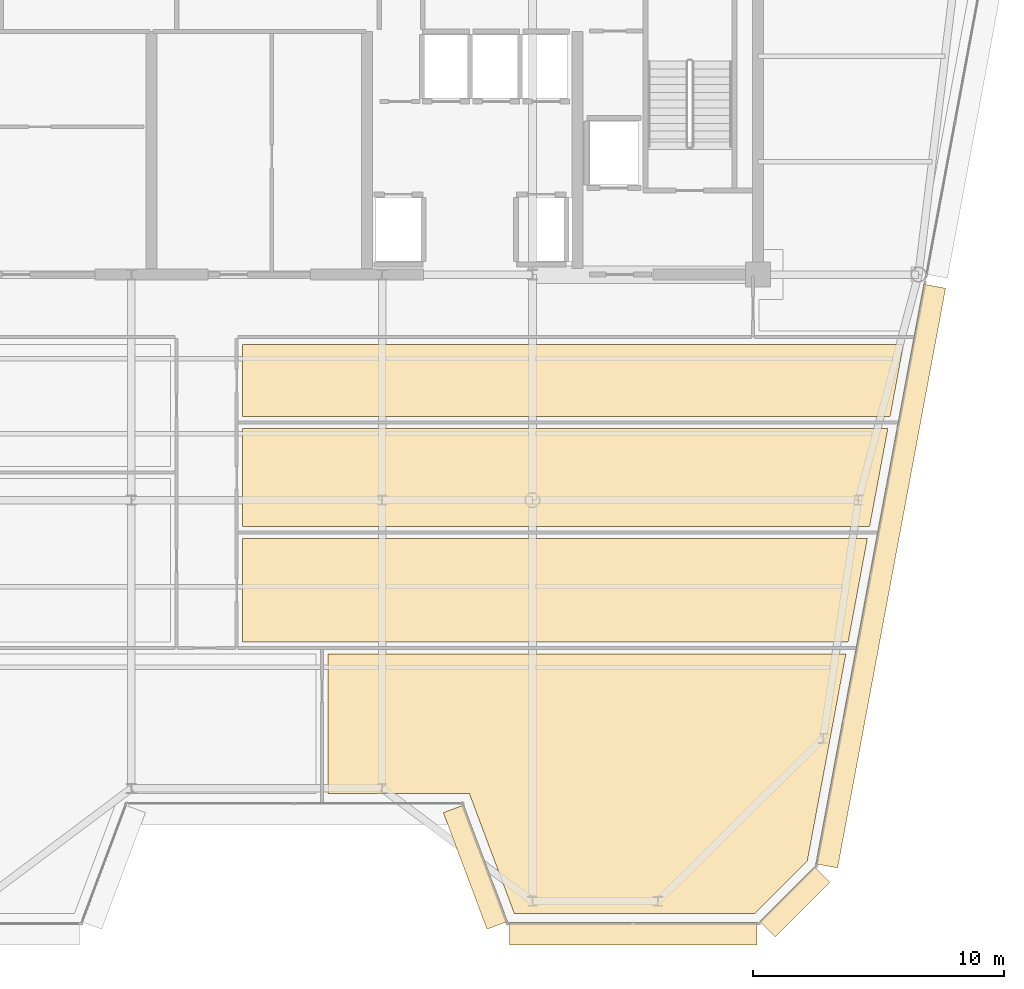
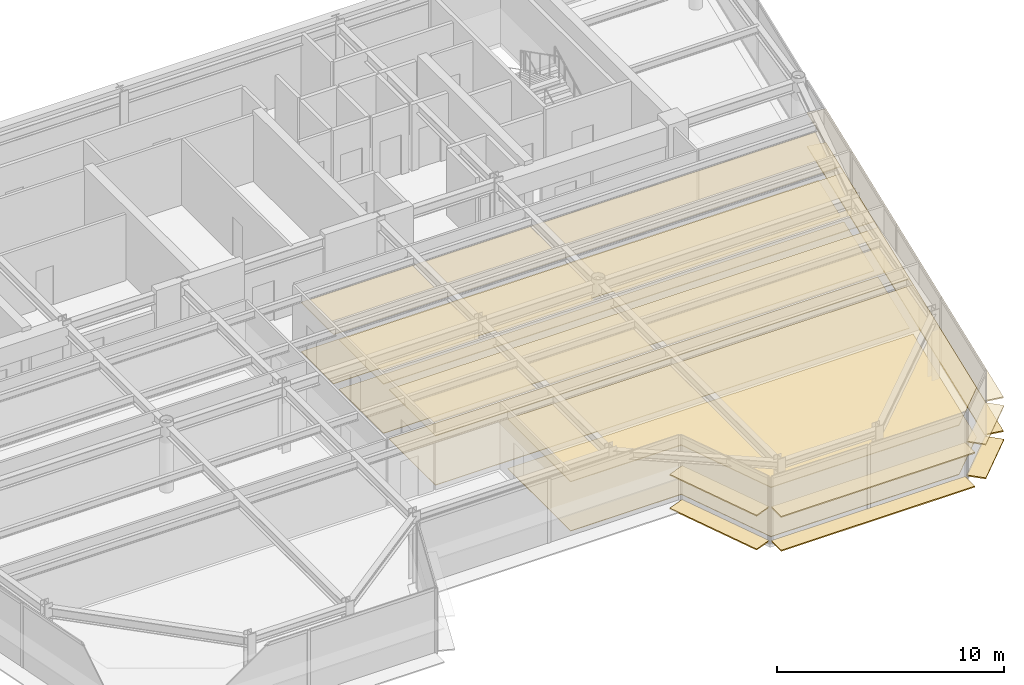
# One storey, part 14 of 18: 16 coverings.
"""IFC4 building model written with IfcOpenShell, lengths in metres."""

from ifc_helpers import new_model, si_unit, direction, frame, origin, origin_2d, place, context, subcontext, project, spatial, polyline, rectangle, outline, extrude, source, transform, mapped, material, layer, layer_set, type_object, element, save


model = new_model("IFC4")

# Units and contexts
model_context = context("Model", 3, precision=1e-05, world=origin(), true_north=direction((0.0, 1.0)))
body_context = subcontext(model_context, "Body", "Model", "MODEL_VIEW")
ifc_project = project(units=[si_unit("LENGTHUNIT", "METRE"), si_unit("AREAUNIT", "SQUARE_METRE"), si_unit("VOLUMEUNIT", "CUBIC_METRE"), si_unit("PLANEANGLEUNIT", "RADIAN"), si_unit("MASSUNIT", "GRAM", prefix="KILO")], contexts=[model_context])

# Site, building, storey
site_placement = place(None, origin())
site = spatial("IfcSite", under=ifc_project, at=site_placement, CompositionType="ELEMENT")
building_placement = place(site_placement, origin())
building = spatial("IfcBuilding", under=site, at=building_placement, Name="Vaeldorn Concourse Tower", CompositionType="ELEMENT")
storey_placement = place(building_placement, frame((0.0, 0.0, 261.199951171875)))
storey = spatial("IfcBuildingStorey", under=building, at=storey_placement, Name="L67", CompositionType="ELEMENT", Elevation=261.199951171875)

# Coverings
ifc_material_1 = material(Name="Acoustic Mineral Fibre Board", Category="gypsum")
ifc_layer_1 = layer(ifc_material_1, 0.0400390625)
ifc_layer_set_1 = layer_set([ifc_layer_1], Name="Acoustic Mineral Fibre Board")
covering_type_1 = type_object("IfcCoveringType", Name="COV-CEIL-ACOUSTIC", PredefinedType="CEILING", material=ifc_layer_set_1)
covering_1_placement = place(storey_placement, frame((0.0, 0.0, 2.650146484375)))
element("IfcCovering", 1, at=covering_1_placement, inside=storey, type_object=covering_type_1, Name="Suspended Acoustic Ceiling L67-7", PredefinedType="CEILING", context=body_context, shape_type="SweptSolid", body=[
    extrude(outline(polyline([(33.43994140625, 21.840087890625), (33.43994140625, 25.9599609375), (58.35888671875, 25.9599609375), (57.591796875, 21.840087890625), (33.43994140625, 21.840087890625)])), origin(), (0.0, 0.0, 1.0), 0.039794921875),
])
covering_2_placement = place(storey_placement, frame((0.0, 0.0, 2.650146484375)))
element("IfcCovering", 2, at=covering_2_placement, inside=storey, type_object=covering_type_1, Name="Suspended Acoustic Ceiling L67-8", PredefinedType="CEILING", context=body_context, shape_type="SweptSolid", body=[
    extrude(outline(polyline([(33.43994140625, 26.43994140625), (33.43994140625, 30.360107421875), (59.17822265625, 30.360107421875), (58.4482421875, 26.43994140625), (33.43994140625, 26.43994140625)])), origin(), (0.0, 0.0, 1.0), 0.039794921875),
])
covering_3_placement = place(storey_placement, frame((0.0, 0.0, 2.650146484375)))
element("IfcCovering", 3, at=covering_3_placement, inside=storey, type_object=covering_type_1, Name="Suspended Acoustic Ceiling L67-9", PredefinedType="CEILING", context=body_context, shape_type="SweptSolid", body=[
    extrude(outline(polyline([(33.43994140625, 30.840087890625), (33.43994140625, 33.699951171875), (59.800048828125, 33.699951171875), (59.267578125, 30.840087890625), (33.43994140625, 30.840087890625)])), origin(), (0.0, 0.0, 1.0), 0.039794921875),
])
covering_4_placement = place(storey_placement, frame((0.0, 0.0, 2.650146484375)))
element("IfcCovering", 4, at=covering_4_placement, inside=storey, type_object=covering_type_1, Name="Suspended Acoustic Ceiling L67-11", PredefinedType="CEILING", context=body_context, shape_type="SweptSolid", body=[
    extrude(outline(polyline([(36.840087890625, 21.360107421875), (57.50244140625, 21.360107421875), (56.936767578125, 18.322021484375), (55.96337890625, 13.09521484375), (53.868408203125, 11.0), (44.277099609375, 11.0), (42.477294921875, 15.800048828125), (36.840087890625, 15.800048828125), (36.840087890625, 21.360107421875)])), origin(), (0.0, 0.0, 1.0), 0.039794921875),
])
ifc_material_2 = material(Name="Honed Limestone Terrazzo Flooring", Category="masonry")
ifc_layer_2 = layer(ifc_material_2, 0.0400390625)
ifc_layer_set_2 = layer_set([ifc_layer_2], Name="Honed Limestone Terrazzo Flooring")
covering_type_2 = type_object("IfcCoveringType", Name="COV-FLOOR-STONE", PredefinedType="FLOORING", material=ifc_layer_set_2)
covering_5_placement = place(storey_placement, origin())
element("IfcCovering", 5, at=covering_5_placement, inside=storey, type_object=covering_type_2, Name="Floor Finish Covering L67-7", PredefinedType="FLOORING", context=body_context, shape_type="SweptSolid", body=[
    extrude(outline(polyline([(33.43994140625, 21.840087890625), (33.43994140625, 25.9599609375), (58.35888671875, 25.9599609375), (57.591796875, 21.840087890625), (33.43994140625, 21.840087890625)])), origin(), (0.0, 0.0, 1.0), 0.030029296875),
])
covering_6_placement = place(storey_placement, origin())
element("IfcCovering", 6, at=covering_6_placement, inside=storey, type_object=covering_type_2, Name="Floor Finish Covering L67-8", PredefinedType="FLOORING", context=body_context, shape_type="SweptSolid", body=[
    extrude(outline(polyline([(33.43994140625, 26.43994140625), (33.43994140625, 30.360107421875), (59.17822265625, 30.360107421875), (58.4482421875, 26.43994140625), (33.43994140625, 26.43994140625)])), origin(), (0.0, 0.0, 1.0), 0.030029296875),
])
covering_7_placement = place(storey_placement, origin())
element("IfcCovering", 7, at=covering_7_placement, inside=storey, type_object=covering_type_2, Name="Floor Finish Covering L67-9", PredefinedType="FLOORING", context=body_context, shape_type="SweptSolid", body=[
    extrude(outline(polyline([(33.43994140625, 30.840087890625), (33.43994140625, 33.699951171875), (59.800048828125, 33.699951171875), (59.267578125, 30.840087890625), (33.43994140625, 30.840087890625)])), origin(), (0.0, 0.0, 1.0), 0.030029296875),
])
covering_8_placement = place(storey_placement, origin())
element("IfcCovering", 8, at=covering_8_placement, inside=storey, type_object=covering_type_2, Name="Floor Finish Covering L67-11", PredefinedType="FLOORING", context=body_context, shape_type="SweptSolid", body=[
    extrude(outline(polyline([(36.840087890625, 21.360107421875), (57.50244140625, 21.360107421875), (56.936767578125, 18.322021484375), (55.96337890625, 13.09521484375), (53.868408203125, 11.0), (44.277099609375, 11.0), (42.477294921875, 15.800048828125), (36.840087890625, 15.800048828125), (36.840087890625, 21.360107421875)])), origin(), (0.0, 0.0, 1.0), 0.030029296875),
])
ifc_material_3 = material(Name="Anodised Bronze Aluminium", Category="aluminium")
ifc_layer_3 = layer(ifc_material_3, 0.06494140625)
ifc_layer_set_3 = layer_set([ifc_layer_3], Name="Anodised Bronze Aluminium")
covering_type_3 = type_object("IfcCoveringType", Name="SD-BRONZE-SUNSHADE", PredefinedType="USERDEFINED", material=ifc_layer_set_3)
shared_shape_1 = source(origin(), body_context, "Body", "SweptSolid", [
    extrude(rectangle(XDim=4.96630859375, YDim=0.8798828125, at=origin_2d()), origin(), (0.0, 0.0, 1.0), 0.06494140625),
])
for number, where, z_axis, x_axis, name in (
    (9, (42.7255859375, 12.859619140625, 0.047607421875), (0.0, 0.0, 1.0), (0.351122702609, -0.936329454686, 0.0), "Horizontal Bronze Sunshade L67-E04.1.1"),
    (10, (42.7255859375, 12.859619140625, 1.86767578125), (0.0, 0.0, 1.0), (0.351122702609, -0.936329454686, 0.0), "Horizontal Bronze Sunshade L67-E04.1.2"),
):
    element("IfcCovering", number, at=place(storey_placement, frame(where, z_axis=z_axis, x_axis=x_axis)), inside=storey, type_object=covering_type_3, Name=name, ObjectType="SUNSHADE", PredefinedType="USERDEFINED", context=body_context, shape_type="MappedRepresentation", body=[
        mapped(shared_shape_1, transform((0.0, 0.0, 0.0), scale=1.0)),
    ])
shared_shape_2 = source(origin(), body_context, "Body", "SweptSolid", [
    extrude(rectangle(XDim=3.0927734375, YDim=0.8798828125, at=origin_2d()), origin(), (0.0, 0.0, 1.0), 0.06494140625),
])
for number, where, z_axis, x_axis, name in (
    (11, (55.466796875, 11.46728515625, 0.047607421875), (0.0, 0.0, 1.0), (0.707106781187, 0.707106781187, 0.0), "Horizontal Bronze Sunshade L67-E06.1.1"),
    (12, (55.466796875, 11.46728515625, 1.86767578125), (0.0, 0.0, 1.0), (0.707106781187, 0.707106781187, 0.0), "Horizontal Bronze Sunshade L67-E06.1.2"),
):
    element("IfcCovering", number, at=place(storey_placement, frame(where, z_axis=z_axis, x_axis=x_axis)), inside=storey, type_object=covering_type_3, Name=name, ObjectType="SUNSHADE", PredefinedType="USERDEFINED", context=body_context, shape_type="MappedRepresentation", body=[
        mapped(shared_shape_2, transform((0.0, 0.0, 0.0), scale=1.0)),
    ])
shared_shape_3 = source(origin(), body_context, "Body", "SweptSolid", [
    extrude(rectangle(XDim=23.525146484375, YDim=0.8798828125, at=origin_2d()), origin(), (0.0, 0.0, 1.0), 0.06494140625),
])
for number, where, z_axis, x_axis, name in (
    (13, (58.89501953125, 24.46923828125, 0.047607421875), (0.0, 0.0, 1.0), (0.183059191151, 0.983101893262, 0.0), "Horizontal Bronze Sunshade L67-E07.1.1"),
    (14, (58.89501953125, 24.46923828125, 1.86767578125), (0.0, 0.0, 1.0), (0.183059191151, 0.983101893262, 0.0), "Horizontal Bronze Sunshade L67-E07.1.2"),
):
    element("IfcCovering", number, at=place(storey_placement, frame(where, z_axis=z_axis, x_axis=x_axis)), inside=storey, type_object=covering_type_3, Name=name, ObjectType="SUNSHADE", PredefinedType="USERDEFINED", context=body_context, shape_type="MappedRepresentation", body=[
        mapped(shared_shape_3, transform((0.0, 0.0, 0.0), scale=1.0)),
    ])
shared_shape_4 = source(origin(), body_context, "Body", "SweptSolid", [
    extrude(rectangle(XDim=9.8740234375, YDim=0.8798828125, at=origin_2d()), origin(), (0.0, 0.0, 1.0), 0.06494140625),
])
for number, where, z_axis, x_axis, name in (
    (15, (49.01708984375, 10.199951171875, 0.047607421875), (0.0, 0.0, 1.0), (1.0, 0.0, 0.0), "Horizontal Bronze Sunshade L67-E05.1.1"),
    (16, (49.01708984375, 10.199951171875, 1.86767578125), (0.0, 0.0, 1.0), (1.0, 0.0, 0.0), "Horizontal Bronze Sunshade L67-E05.1.2"),
):
    element("IfcCovering", number, at=place(storey_placement, frame(where, z_axis=z_axis, x_axis=x_axis)), inside=storey, type_object=covering_type_3, Name=name, ObjectType="SUNSHADE", PredefinedType="USERDEFINED", context=body_context, shape_type="MappedRepresentation", body=[
        mapped(shared_shape_4, transform((0.0, 0.0, 0.0), scale=1.0)),
    ])

save(model, "model.ifc")
